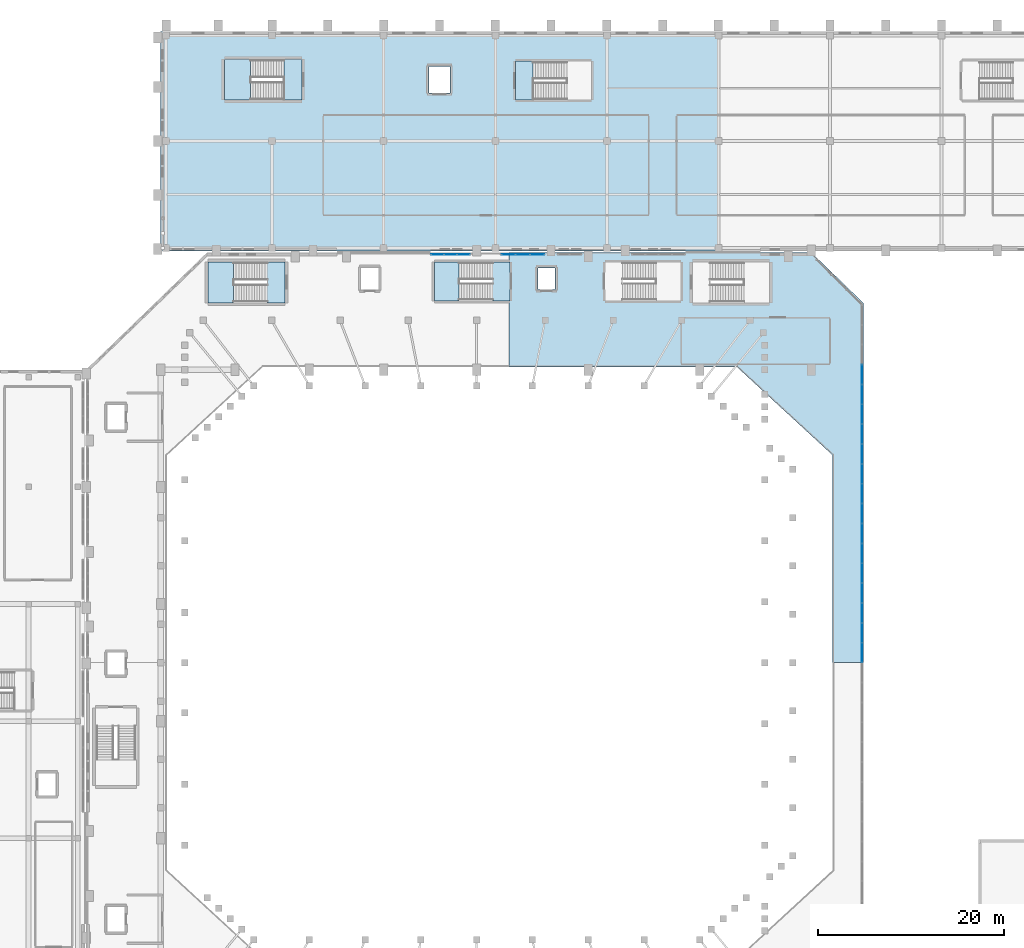
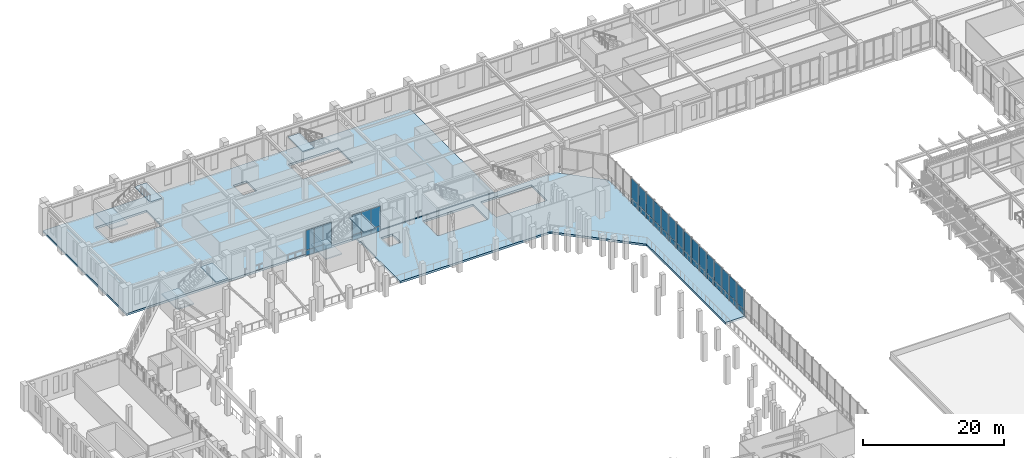
# One storey, part 72 of 126: 42 plates, 9 slabs, 7 elements without a shape of their own.
"""IFC4 building model written with IfcOpenShell, lengths in metres."""

from ifc_helpers import new_model, si_unit, derived_unit, direction, frame, origin, origin_2d, place, context, subcontext, project, spatial, polyline, rectangle, outline, extrude, material, layer, layer_set, type_object, element, aggregate, save


model = new_model("IFC4")

# Units and contexts
model_context = context("Model", 3, precision=1e-05, world=origin(), true_north=direction((0.0, 1.0)))
body_context = subcontext(model_context, "Body", "Model", "MODEL_VIEW")
ifc_project = project(units=[si_unit("LENGTHUNIT", "METRE"), si_unit("AREAUNIT", "SQUARE_METRE"), si_unit("VOLUMEUNIT", "CUBIC_METRE"), si_unit("PLANEANGLEUNIT", "RADIAN"), si_unit("MASSUNIT", "GRAM", prefix="KILO"), derived_unit("THERMALTRANSMITTANCEUNIT", [(si_unit("MASSUNIT", "GRAM", prefix="KILO"), 1), (si_unit("TIMEUNIT", "SECOND"), -3), (si_unit("THERMODYNAMICTEMPERATUREUNIT", "KELVIN"), -1)])], contexts=[model_context])

# Site, building, storey
site_placement = place(None, origin())
site = spatial("IfcSite", under=ifc_project, at=site_placement, CompositionType="ELEMENT")
building_placement = place(site_placement, origin())
building = spatial("IfcBuilding", under=site, at=building_placement, Name="Valcora Ridge Arena", CompositionType="ELEMENT")
storey_placement = place(building_placement, frame((0.0, 0.0, 11.39990234375)))
storey = spatial("IfcBuildingStorey", under=building, at=storey_placement, Name="L02", CompositionType="ELEMENT", Elevation=11.39990234375)

# Stair, slabs
ifc_material_1 = material(Name="Concrete C40/50", Category="concrete")
stair_type_1 = type_object("IfcStairType", Name="TY-STAIR-ES03-48", PredefinedType="HALF_TURN_STAIR", material=ifc_material_1)
stair_1_placement = place(storey_placement, origin())
stair_1 = element("IfcStair", 1, at=stair_1_placement, inside=storey, type_object=stair_type_1, Name="ES03-48 STR-ES-0011", PredefinedType="HALF_TURN_STAIR")
ifc_layer_1 = layer(ifc_material_1, 0.199951171875, Name="Concrete C40/50")
ifc_layer_set_1 = layer_set([ifc_layer_1], Name="Concrete C40/50")
slab_type_1 = type_object("IfcSlabType", Name="TY-LAND-ES03-48", PredefinedType="LANDING", material=ifc_layer_set_1)
slab_1_placement = place(storey_placement, frame((0.0, 0.0, 2.2001953125)))
slab_1 = element("IfcSlab", 2, at=slab_1_placement, type_object=slab_type_1, Name="ES03-48 landing 1", PredefinedType="LANDING", context=body_context, shape_type="SweptSolid", body=[
    extrude(outline(polyline([(53.44189453125, 103.001953125), (56.1201171875, 103.001953125), (56.1201171875, 107.197998046875), (53.44189453125, 107.197998046875), (53.44189453125, 103.001953125)])), origin(), (0.0, 0.0, 1.0), 0.199951171875),
])
slab_2_placement = place(storey_placement, frame((0.0, 0.0, 4.60009765625)))
slab_2 = element("IfcSlab", 3, at=slab_2_placement, type_object=slab_type_1, Name="ES03-48 landing 2", PredefinedType="LANDING", context=body_context, shape_type="SweptSolid", body=[
    extrude(outline(polyline([(59.719970703125, 103.001953125), (61.597900390625, 103.001953125), (61.597900390625, 107.197998046875), (59.719970703125, 107.197998046875), (59.719970703125, 103.001953125)])), origin(), (0.0, 0.0, 1.0), 0.199951171875),
])
aggregate(stair_1, [slab_1, slab_2])

# Stair, slab
stair_type_2 = type_object("IfcStairType", Name="TY-STAIR-ES09-48", PredefinedType="HALF_TURN_STAIR", material=ifc_material_1)
stair_2_placement = place(storey_placement, origin())
stair_2 = element("IfcStair", 4, at=stair_2_placement, inside=storey, type_object=stair_type_2, Name="ES09-48 STR-ES-0032", PredefinedType="HALF_TURN_STAIR")
ifc_layer_2 = layer(ifc_material_1, 0.199951171875, Name="Concrete C40/50")
ifc_layer_set_2 = layer_set([ifc_layer_2], Name="Concrete C40/50")
slab_type_2 = type_object("IfcSlabType", Name="TY-LAND-ES09-48", PredefinedType="LANDING", material=ifc_layer_set_2)
slab_3_placement = place(storey_placement, frame((0.0, 0.0, 4.60009765625)))
slab_3 = element("IfcSlab", 5, at=slab_3_placement, type_object=slab_type_2, Name="ES09-48 landing 2", PredefinedType="LANDING", context=body_context, shape_type="SweptSolid", body=[
    extrude(outline(polyline([(62.201904296875, 124.60205078125), (64.080078125, 124.60205078125), (64.080078125, 128.798095703125), (62.201904296875, 128.798095703125), (62.201904296875, 124.60205078125)])), origin(), (0.0, 0.0, 1.0), 0.199951171875),
])
aggregate(stair_2, [slab_3])

# Stair, slabs
stair_type_3 = type_object("IfcStairType", Name="TY-STAIR-ST03-48", PredefinedType="HALF_TURN_STAIR", material=ifc_material_1)
stair_3_placement = place(storey_placement, origin())
stair_3 = element("IfcStair", 6, at=stair_3_placement, inside=storey, type_object=stair_type_3, Name="ST03-48 STR-CR-0015", PredefinedType="HALF_TURN_STAIR")
ifc_layer_3 = layer(ifc_material_1, 0.199951171875, Name="Concrete C40/50")
ifc_layer_set_3 = layer_set([ifc_layer_3], Name="Concrete C40/50")
slab_type_3 = type_object("IfcSlabType", Name="TY-LAND-ST03-48", PredefinedType="LANDING", material=ifc_layer_set_3)
slab_4_placement = place(storey_placement, frame((0.0, 0.0, 2.2001953125)))
slab_4 = element("IfcSlab", 7, at=slab_4_placement, type_object=slab_type_3, Name="ST03-48 landing 1", PredefinedType="LANDING", context=body_context, shape_type="SweptSolid", body=[
    extrude(outline(polyline([(29.08203125, 102.802001953125), (31.8701171875, 102.802001953125), (31.8701171875, 107.197998046875), (29.08203125, 107.197998046875), (29.08203125, 102.802001953125)])), origin(), (0.0, 0.0, 1.0), 0.199951171875),
])
slab_5_placement = place(storey_placement, frame((0.0, 0.0, 4.60009765625)))
slab_5 = element("IfcSlab", 8, at=slab_5_placement, type_object=slab_type_3, Name="ST03-48 landing 2", PredefinedType="LANDING", context=body_context, shape_type="SweptSolid", body=[
    extrude(outline(polyline([(35.469970703125, 102.802001953125), (37.39794921875, 102.802001953125), (37.39794921875, 107.197998046875), (35.469970703125, 107.197998046875), (35.469970703125, 102.802001953125)])), origin(), (0.0, 0.0, 1.0), 0.199951171875),
])
aggregate(stair_3, [slab_4, slab_5])

stair_type_4 = type_object("IfcStairType", Name="TY-STAIR-ST09-48", PredefinedType="HALF_TURN_STAIR", material=ifc_material_1)
stair_4_placement = place(storey_placement, origin())
stair_4 = element("IfcStair", 9, at=stair_4_placement, inside=storey, type_object=stair_type_4, Name="ST09-48 STR-CR-0040", PredefinedType="HALF_TURN_STAIR")
ifc_layer_4 = layer(ifc_material_1, 0.199951171875, Name="Concrete C40/50")
ifc_layer_set_4 = layer_set([ifc_layer_4], Name="Concrete C40/50")
slab_type_4 = type_object("IfcSlabType", Name="TY-LAND-ST09-48", PredefinedType="LANDING", material=ifc_layer_set_4)
slab_6_placement = place(storey_placement, frame((0.0, 0.0, 2.2001953125)))
slab_6 = element("IfcSlab", 10, at=slab_6_placement, type_object=slab_type_4, Name="ST09-48 landing 1", PredefinedType="LANDING", context=body_context, shape_type="SweptSolid", body=[
    extrude(outline(polyline([(30.882080078125, 124.60205078125), (33.669921875, 124.60205078125), (33.669921875, 128.998046875), (30.882080078125, 128.998046875), (30.882080078125, 124.60205078125)])), origin(), (0.0, 0.0, 1.0), 0.199951171875),
])
slab_7_placement = place(storey_placement, frame((0.0, 0.0, 4.60009765625)))
slab_7 = element("IfcSlab", 11, at=slab_7_placement, type_object=slab_type_4, Name="ST09-48 landing 2", PredefinedType="LANDING", context=body_context, shape_type="SweptSolid", body=[
    extrude(outline(polyline([(37.27001953125, 124.60205078125), (39.197998046875, 124.60205078125), (39.197998046875, 128.998046875), (37.27001953125, 128.998046875), (37.27001953125, 124.60205078125)])), origin(), (0.0, 0.0, 1.0), 0.199951171875),
])
aggregate(stair_4, [slab_6, slab_7])

# Curtain wall, plates
ifc_material_2 = material(Name="Anodised dark bronze architectural aluminium 6063-T6", Category="aluminium")
ifc_layer_5 = layer(ifc_material_2, 0.179931640625, Name="Anodised dark bronze architectural aluminium 6063-T6")
ifc_layer_set_5 = layer_set([ifc_layer_5], Name="Anodised dark bronze architectural aluminium 6063-T6")
curtain_wall_type_1 = type_object("IfcCurtainWallType", Name="TY-CURTAINWALL-CW-V1-GOTH-043X44", PredefinedType="NOTDEFINED", material=ifc_layer_set_5)
curtain_wall_1_placement = place(storey_placement, origin())
curtain_wall_1 = element("IfcCurtainWall", 12, at=curtain_wall_1_placement, inside=storey, type_object=curtain_wall_type_1, Name="CW-V1-GOTH-043X44 CW-0124", PredefinedType="NOTDEFINED")
ifc_material_3 = material(Name="Low-iron solar-control double glazing SHGC 0.28", Category="glass")
ifc_layer_6 = layer(ifc_material_3, 0.031982421875, Name="Low-iron solar-control double glazing SHGC 0.28")
ifc_layer_set_6 = layer_set([ifc_layer_6], Name="Low-iron solar-control double glazing SHGC 0.28")
plate_type_1 = type_object("IfcPlateType", Name="TY-PLT-CWP-1330X0860", PredefinedType="CURTAIN_PANEL", material=ifc_layer_set_6)
plate_1_placement = place(storey_placement, frame((53.77490234375, 108.0, 0.06005859375), z_axis=(0.0, 0.0, 1.0), x_axis=(1.0, 0.0, 0.0)))
plate_1 = element("IfcPlate", 13, at=plate_1_placement, type_object=plate_type_1, Name="CW-0124/P00-00", PredefinedType="CURTAIN_PANEL", context=body_context, shape_type="SweptSolid", body=[
    extrude(rectangle(XDim=1.330078125, YDim=0.031982421875, at=origin_2d()), origin(), (0.0, 0.0, 1.0), 0.860107421875),
])
plate_2_placement = place(storey_placement, frame((56.5849609375, 108.0, 0.06005859375), z_axis=(0.0, 0.0, 1.0), x_axis=(1.0, 0.0, 0.0)))
plate_2 = element("IfcPlate", 14, at=plate_2_placement, type_object=plate_type_1, Name="CW-0124/P02-00", PredefinedType="CURTAIN_PANEL", context=body_context, shape_type="SweptSolid", body=[
    extrude(rectangle(XDim=1.330078125, YDim=0.031982421875, at=origin_2d()), origin(), (0.0, 0.0, 1.0), 0.860107421875),
])
ifc_layer_7 = layer(ifc_material_3, 0.031982421875, Name="Low-iron solar-control double glazing SHGC 0.28")
ifc_layer_set_7 = layer_set([ifc_layer_7], Name="Low-iron solar-control double glazing SHGC 0.28")
plate_type_2 = type_object("IfcPlateType", Name="TY-PLT-CWP-1330X3410", PredefinedType="CURTAIN_PANEL", material=ifc_layer_set_7)
plate_3_placement = place(storey_placement, frame((53.77490234375, 108.0, 0.97998046875), z_axis=(0.0, 0.0, 1.0), x_axis=(1.0, 0.0, 0.0)))
plate_3 = element("IfcPlate", 15, at=plate_3_placement, type_object=plate_type_2, Name="CW-0124/P00-01", PredefinedType="CURTAIN_PANEL", context=body_context, shape_type="SweptSolid", body=[
    extrude(rectangle(XDim=1.330078125, YDim=0.031982421875, at=origin_2d()), origin(), (0.0, 0.0, 1.0), 3.409912109375),
])
plate_4_placement = place(storey_placement, frame((56.5849609375, 108.0, 0.97998046875), z_axis=(0.0, 0.0, 1.0), x_axis=(1.0, 0.0, 0.0)))
plate_4 = element("IfcPlate", 16, at=plate_4_placement, type_object=plate_type_2, Name="CW-0124/P02-01", PredefinedType="CURTAIN_PANEL", context=body_context, shape_type="SweptSolid", body=[
    extrude(rectangle(XDim=1.330078125, YDim=0.031982421875, at=origin_2d()), origin(), (0.0, 0.0, 1.0), 3.409912109375),
])
ifc_layer_8 = layer(ifc_material_3, 0.031982421875, Name="Low-iron solar-control double glazing SHGC 0.28")
ifc_layer_set_8 = layer_set([ifc_layer_8], Name="Low-iron solar-control double glazing SHGC 0.28")
plate_type_3 = type_object("IfcPlateType", Name="TY-PLT-CWP-1360X0860", PredefinedType="CURTAIN_PANEL", material=ifc_layer_set_8)
plate_5_placement = place(storey_placement, frame((55.179931640625, 108.0, 0.06005859375), z_axis=(0.0, 0.0, 1.0), x_axis=(1.0, 0.0, 0.0)))
plate_5 = element("IfcPlate", 17, at=plate_5_placement, type_object=plate_type_3, Name="CW-0124/P01-00", PredefinedType="CURTAIN_PANEL", context=body_context, shape_type="SweptSolid", body=[
    extrude(rectangle(XDim=1.360107421875, YDim=0.031982421875, at=origin_2d()), origin(), (0.0, 0.0, 1.0), 0.860107421875),
])
ifc_layer_9 = layer(ifc_material_3, 0.031982421875, Name="Low-iron solar-control double glazing SHGC 0.28")
ifc_layer_set_9 = layer_set([ifc_layer_9], Name="Low-iron solar-control double glazing SHGC 0.28")
plate_type_4 = type_object("IfcPlateType", Name="TY-PLT-CWP-1360X3410", PredefinedType="CURTAIN_PANEL", material=ifc_layer_set_9)
plate_6_placement = place(storey_placement, frame((55.179931640625, 108.0, 0.97998046875), z_axis=(0.0, 0.0, 1.0), x_axis=(1.0, 0.0, 0.0)))
plate_6 = element("IfcPlate", 18, at=plate_6_placement, type_object=plate_type_4, Name="CW-0124/P01-01", PredefinedType="CURTAIN_PANEL", context=body_context, shape_type="SweptSolid", body=[
    extrude(rectangle(XDim=1.360107421875, YDim=0.031982421875, at=origin_2d()), origin(), (0.0, 0.0, 1.0), 3.409912109375),
])
aggregate(curtain_wall_1, [plate_1, plate_3, plate_5, plate_6, plate_2, plate_4])

ifc_layer_10 = layer(ifc_material_2, 0.179931640625, Name="Anodised dark bronze architectural aluminium 6063-T6")
ifc_layer_set_10 = layer_set([ifc_layer_10], Name="Anodised dark bronze architectural aluminium 6063-T6")
curtain_wall_type_2 = type_object("IfcCurtainWallType", Name="TY-CURTAINWALL-CW-V1-GOTH-047X44", PredefinedType="NOTDEFINED", material=ifc_layer_set_10)
curtain_wall_2_placement = place(storey_placement, origin())
curtain_wall_2 = element("IfcCurtainWall", 19, at=curtain_wall_2_placement, inside=storey, type_object=curtain_wall_type_2, Name="CW-V1-GOTH-047X44 CW-0125", PredefinedType="NOTDEFINED")
ifc_layer_11 = layer(ifc_material_3, 0.031982421875, Name="Low-iron solar-control double glazing SHGC 0.28")
ifc_layer_set_11 = layer_set([ifc_layer_11], Name="Low-iron solar-control double glazing SHGC 0.28")
plate_type_5 = type_object("IfcPlateType", Name="TY-PLT-CWP-1475X0860", PredefinedType="CURTAIN_PANEL", material=ifc_layer_set_11)
plate_7_placement = place(storey_placement, frame((61.41259765625, 108.0, 0.06005859375), z_axis=(0.0, 0.0, 1.0), x_axis=(1.0, 0.0, 0.0)))
plate_7 = element("IfcPlate", 20, at=plate_7_placement, type_object=plate_type_5, Name="CW-0125/P00-00", PredefinedType="CURTAIN_PANEL", context=body_context, shape_type="SweptSolid", body=[
    extrude(rectangle(XDim=1.47509765625, YDim=0.031982421875, at=origin_2d()), origin(), (0.0, 0.0, 1.0), 0.860107421875),
])
plate_8_placement = place(storey_placement, frame((64.512451171875, 108.0, 0.06005859375), z_axis=(0.0, 0.0, 1.0), x_axis=(1.0, 0.0, 0.0)))
plate_8 = element("IfcPlate", 21, at=plate_8_placement, type_object=plate_type_5, Name="CW-0125/P02-00", PredefinedType="CURTAIN_PANEL", context=body_context, shape_type="SweptSolid", body=[
    extrude(rectangle(XDim=1.47509765625, YDim=0.031982421875, at=origin_2d()), origin(), (0.0, 0.0, 1.0), 0.860107421875),
])
ifc_layer_12 = layer(ifc_material_3, 0.031982421875, Name="Low-iron solar-control double glazing SHGC 0.28")
ifc_layer_set_12 = layer_set([ifc_layer_12], Name="Low-iron solar-control double glazing SHGC 0.28")
plate_type_6 = type_object("IfcPlateType", Name="TY-PLT-CWP-1475X3410", PredefinedType="CURTAIN_PANEL", material=ifc_layer_set_12)
plate_9_placement = place(storey_placement, frame((61.41259765625, 108.0, 0.97998046875), z_axis=(0.0, 0.0, 1.0), x_axis=(1.0, 0.0, 0.0)))
plate_9 = element("IfcPlate", 22, at=plate_9_placement, type_object=plate_type_6, Name="CW-0125/P00-01", PredefinedType="CURTAIN_PANEL", context=body_context, shape_type="SweptSolid", body=[
    extrude(rectangle(XDim=1.47509765625, YDim=0.031982421875, at=origin_2d()), origin(), (0.0, 0.0, 1.0), 3.409912109375),
])
plate_10_placement = place(storey_placement, frame((64.512451171875, 108.0, 0.97998046875), z_axis=(0.0, 0.0, 1.0), x_axis=(1.0, 0.0, 0.0)))
plate_10 = element("IfcPlate", 23, at=plate_10_placement, type_object=plate_type_6, Name="CW-0125/P02-01", PredefinedType="CURTAIN_PANEL", context=body_context, shape_type="SweptSolid", body=[
    extrude(rectangle(XDim=1.47509765625, YDim=0.031982421875, at=origin_2d()), origin(), (0.0, 0.0, 1.0), 3.409912109375),
])
ifc_layer_13 = layer(ifc_material_3, 0.031982421875, Name="Low-iron solar-control double glazing SHGC 0.28")
ifc_layer_set_13 = layer_set([ifc_layer_13], Name="Low-iron solar-control double glazing SHGC 0.28")
plate_type_7 = type_object("IfcPlateType", Name="TY-PLT-CWP-1505X0860", PredefinedType="CURTAIN_PANEL", material=ifc_layer_set_13)
plate_11_placement = place(storey_placement, frame((62.96240234375, 108.0, 0.06005859375), z_axis=(0.0, 0.0, 1.0), x_axis=(1.0, 0.0, 0.0)))
plate_11 = element("IfcPlate", 24, at=plate_11_placement, type_object=plate_type_7, Name="CW-0125/P01-00", PredefinedType="CURTAIN_PANEL", context=body_context, shape_type="SweptSolid", body=[
    extrude(rectangle(XDim=1.5048828125, YDim=0.031982421875, at=origin_2d()), origin(), (0.0, 0.0, 1.0), 0.860107421875),
])
ifc_layer_14 = layer(ifc_material_3, 0.031982421875, Name="Low-iron solar-control double glazing SHGC 0.28")
ifc_layer_set_14 = layer_set([ifc_layer_14], Name="Low-iron solar-control double glazing SHGC 0.28")
plate_type_8 = type_object("IfcPlateType", Name="TY-PLT-CWP-1505X3410", PredefinedType="CURTAIN_PANEL", material=ifc_layer_set_14)
plate_12_placement = place(storey_placement, frame((62.96240234375, 108.0, 0.97998046875), z_axis=(0.0, 0.0, 1.0), x_axis=(1.0, 0.0, 0.0)))
plate_12 = element("IfcPlate", 25, at=plate_12_placement, type_object=plate_type_8, Name="CW-0125/P01-01", PredefinedType="CURTAIN_PANEL", context=body_context, shape_type="SweptSolid", body=[
    extrude(rectangle(XDim=1.5048828125, YDim=0.031982421875, at=origin_2d()), origin(), (0.0, 0.0, 1.0), 3.409912109375),
])
aggregate(curtain_wall_2, [plate_7, plate_9, plate_11, plate_12, plate_8, plate_10])

ifc_layer_15 = layer(ifc_material_2, 0.14990234375, Name="Anodised dark bronze architectural aluminium 6063-T6")
ifc_layer_set_15 = layer_set([ifc_layer_15], Name="Anodised dark bronze architectural aluminium 6063-T6")
curtain_wall_type_3 = type_object("IfcCurtainWallType", Name="TY-CURTAINWALL-CW-V1-EAST-769X44", PredefinedType="NOTDEFINED", material=ifc_layer_set_15)
curtain_wall_3_placement = place(storey_placement, origin())
curtain_wall_3 = element("IfcCurtainWall", 26, at=curtain_wall_3_placement, inside=storey, type_object=curtain_wall_type_3, Name="CW-V1-EAST-769X44 CW-0129", PredefinedType="NOTDEFINED")
ifc_layer_16 = layer(ifc_material_3, 0.028076171875, Name="Low-iron solar-control double glazing SHGC 0.28")
ifc_layer_set_16 = layer_set([ifc_layer_16], Name="Low-iron solar-control double glazing SHGC 0.28")
plate_type_9 = type_object("IfcPlateType", Name="TY-PLT-CWP-2087X0875", PredefinedType="CURTAIN_PANEL", material=ifc_layer_set_16)
plate_13_placement = place(storey_placement, frame((99.449951171875, 67.30615234375, 0.050048828125), z_axis=(0.0, 0.0, 1.0), x_axis=(0.0, 1.0, 0.0)))
plate_13 = element("IfcPlate", 27, at=plate_13_placement, type_object=plate_type_9, Name="CW-0129/P19-00", PredefinedType="CURTAIN_PANEL", context=body_context, shape_type="SweptSolid", body=[
    extrude(rectangle(XDim=2.0869140625, YDim=0.028076171875, at=origin_2d()), origin(), (0.0, 0.0, 1.0), 0.875),
])
plate_14_placement = place(storey_placement, frame((99.449951171875, 69.443115234375, 0.050048828125), z_axis=(0.0, 0.0, 1.0), x_axis=(0.0, 1.0, 0.0)))
plate_14 = element("IfcPlate", 28, at=plate_14_placement, type_object=plate_type_9, Name="CW-0129/P20-00", PredefinedType="CURTAIN_PANEL", context=body_context, shape_type="SweptSolid", body=[
    extrude(rectangle(XDim=2.0869140625, YDim=0.028076171875, at=origin_2d()), origin(), (0.0, 0.0, 1.0), 0.875),
])
plate_15_placement = place(storey_placement, frame((99.449951171875, 73.71826171875, 0.050048828125), z_axis=(0.0, 0.0, 1.0), x_axis=(0.0, 1.0, 0.0)))
plate_15 = element("IfcPlate", 29, at=plate_15_placement, type_object=plate_type_9, Name="CW-0129/P22-00", PredefinedType="CURTAIN_PANEL", context=body_context, shape_type="SweptSolid", body=[
    extrude(rectangle(XDim=2.0869140625, YDim=0.028076171875, at=origin_2d()), origin(), (0.0, 0.0, 1.0), 0.875),
])
plate_16_placement = place(storey_placement, frame((99.449951171875, 75.855224609375, 0.050048828125), z_axis=(0.0, 0.0, 1.0), x_axis=(0.0, 1.0, 0.0)))
plate_16 = element("IfcPlate", 30, at=plate_16_placement, type_object=plate_type_9, Name="CW-0129/P23-00", PredefinedType="CURTAIN_PANEL", context=body_context, shape_type="SweptSolid", body=[
    extrude(rectangle(XDim=2.0869140625, YDim=0.028076171875, at=origin_2d()), origin(), (0.0, 0.0, 1.0), 0.875),
])
plate_17_placement = place(storey_placement, frame((99.449951171875, 80.130126953125, 0.050048828125), z_axis=(0.0, 0.0, 1.0), x_axis=(0.0, 1.0, 0.0)))
plate_17 = element("IfcPlate", 31, at=plate_17_placement, type_object=plate_type_9, Name="CW-0129/P25-00", PredefinedType="CURTAIN_PANEL", context=body_context, shape_type="SweptSolid", body=[
    extrude(rectangle(XDim=2.0869140625, YDim=0.028076171875, at=origin_2d()), origin(), (0.0, 0.0, 1.0), 0.875),
])
plate_18_placement = place(storey_placement, frame((99.449951171875, 82.26708984375, 0.050048828125), z_axis=(0.0, 0.0, 1.0), x_axis=(0.0, 1.0, 0.0)))
plate_18 = element("IfcPlate", 32, at=plate_18_placement, type_object=plate_type_9, Name="CW-0129/P26-00", PredefinedType="CURTAIN_PANEL", context=body_context, shape_type="SweptSolid", body=[
    extrude(rectangle(XDim=2.0869140625, YDim=0.028076171875, at=origin_2d()), origin(), (0.0, 0.0, 1.0), 0.875),
])
plate_19_placement = place(storey_placement, frame((99.449951171875, 86.542236328125, 0.050048828125), z_axis=(0.0, 0.0, 1.0), x_axis=(0.0, 1.0, 0.0)))
plate_19 = element("IfcPlate", 33, at=plate_19_placement, type_object=plate_type_9, Name="CW-0129/P28-00", PredefinedType="CURTAIN_PANEL", context=body_context, shape_type="SweptSolid", body=[
    extrude(rectangle(XDim=2.0869140625, YDim=0.028076171875, at=origin_2d()), origin(), (0.0, 0.0, 1.0), 0.875),
])
plate_20_placement = place(storey_placement, frame((99.449951171875, 88.67919921875, 0.050048828125), z_axis=(0.0, 0.0, 1.0), x_axis=(0.0, 1.0, 0.0)))
plate_20 = element("IfcPlate", 34, at=plate_20_placement, type_object=plate_type_9, Name="CW-0129/P29-00", PredefinedType="CURTAIN_PANEL", context=body_context, shape_type="SweptSolid", body=[
    extrude(rectangle(XDim=2.0869140625, YDim=0.028076171875, at=origin_2d()), origin(), (0.0, 0.0, 1.0), 0.875),
])
plate_21_placement = place(storey_placement, frame((99.449951171875, 92.9541015625, 0.050048828125), z_axis=(0.0, 0.0, 1.0), x_axis=(0.0, 1.0, 0.0)))
plate_21 = element("IfcPlate", 35, at=plate_21_placement, type_object=plate_type_9, Name="CW-0129/P31-00", PredefinedType="CURTAIN_PANEL", context=body_context, shape_type="SweptSolid", body=[
    extrude(rectangle(XDim=2.0869140625, YDim=0.028076171875, at=origin_2d()), origin(), (0.0, 0.0, 1.0), 0.875),
])
ifc_layer_17 = layer(ifc_material_3, 0.028076171875, Name="Low-iron solar-control double glazing SHGC 0.28")
ifc_layer_set_17 = layer_set([ifc_layer_17], Name="Low-iron solar-control double glazing SHGC 0.28")
plate_type_10 = type_object("IfcPlateType", Name="TY-PLT-CWP-2087X3425", PredefinedType="CURTAIN_PANEL", material=ifc_layer_set_17)
plate_22_placement = place(storey_placement, frame((99.449951171875, 67.30615234375, 0.97509765625), z_axis=(0.0, 0.0, 1.0), x_axis=(0.0, 1.0, 0.0)))
plate_22 = element("IfcPlate", 36, at=plate_22_placement, type_object=plate_type_10, Name="CW-0129/P19-01", PredefinedType="CURTAIN_PANEL", context=body_context, shape_type="SweptSolid", body=[
    extrude(rectangle(XDim=2.0869140625, YDim=0.028076171875, at=origin_2d()), origin(), (0.0, 0.0, 1.0), 3.425048828125),
])
plate_23_placement = place(storey_placement, frame((99.449951171875, 69.443115234375, 0.97509765625), z_axis=(0.0, 0.0, 1.0), x_axis=(0.0, 1.0, 0.0)))
plate_23 = element("IfcPlate", 37, at=plate_23_placement, type_object=plate_type_10, Name="CW-0129/P20-01", PredefinedType="CURTAIN_PANEL", context=body_context, shape_type="SweptSolid", body=[
    extrude(rectangle(XDim=2.0869140625, YDim=0.028076171875, at=origin_2d()), origin(), (0.0, 0.0, 1.0), 3.425048828125),
])
plate_24_placement = place(storey_placement, frame((99.449951171875, 73.71826171875, 0.97509765625), z_axis=(0.0, 0.0, 1.0), x_axis=(0.0, 1.0, 0.0)))
plate_24 = element("IfcPlate", 38, at=plate_24_placement, type_object=plate_type_10, Name="CW-0129/P22-01", PredefinedType="CURTAIN_PANEL", context=body_context, shape_type="SweptSolid", body=[
    extrude(rectangle(XDim=2.0869140625, YDim=0.028076171875, at=origin_2d()), origin(), (0.0, 0.0, 1.0), 3.425048828125),
])
plate_25_placement = place(storey_placement, frame((99.449951171875, 75.855224609375, 0.97509765625), z_axis=(0.0, 0.0, 1.0), x_axis=(0.0, 1.0, 0.0)))
plate_25 = element("IfcPlate", 39, at=plate_25_placement, type_object=plate_type_10, Name="CW-0129/P23-01", PredefinedType="CURTAIN_PANEL", context=body_context, shape_type="SweptSolid", body=[
    extrude(rectangle(XDim=2.0869140625, YDim=0.028076171875, at=origin_2d()), origin(), (0.0, 0.0, 1.0), 3.425048828125),
])
plate_26_placement = place(storey_placement, frame((99.449951171875, 80.130126953125, 0.97509765625), z_axis=(0.0, 0.0, 1.0), x_axis=(0.0, 1.0, 0.0)))
plate_26 = element("IfcPlate", 40, at=plate_26_placement, type_object=plate_type_10, Name="CW-0129/P25-01", PredefinedType="CURTAIN_PANEL", context=body_context, shape_type="SweptSolid", body=[
    extrude(rectangle(XDim=2.0869140625, YDim=0.028076171875, at=origin_2d()), origin(), (0.0, 0.0, 1.0), 3.425048828125),
])
plate_27_placement = place(storey_placement, frame((99.449951171875, 82.26708984375, 0.97509765625), z_axis=(0.0, 0.0, 1.0), x_axis=(0.0, 1.0, 0.0)))
plate_27 = element("IfcPlate", 41, at=plate_27_placement, type_object=plate_type_10, Name="CW-0129/P26-01", PredefinedType="CURTAIN_PANEL", context=body_context, shape_type="SweptSolid", body=[
    extrude(rectangle(XDim=2.0869140625, YDim=0.028076171875, at=origin_2d()), origin(), (0.0, 0.0, 1.0), 3.425048828125),
])
plate_28_placement = place(storey_placement, frame((99.449951171875, 86.542236328125, 0.97509765625), z_axis=(0.0, 0.0, 1.0), x_axis=(0.0, 1.0, 0.0)))
plate_28 = element("IfcPlate", 42, at=plate_28_placement, type_object=plate_type_10, Name="CW-0129/P28-01", PredefinedType="CURTAIN_PANEL", context=body_context, shape_type="SweptSolid", body=[
    extrude(rectangle(XDim=2.0869140625, YDim=0.028076171875, at=origin_2d()), origin(), (0.0, 0.0, 1.0), 3.425048828125),
])
plate_29_placement = place(storey_placement, frame((99.449951171875, 88.67919921875, 0.97509765625), z_axis=(0.0, 0.0, 1.0), x_axis=(0.0, 1.0, 0.0)))
plate_29 = element("IfcPlate", 43, at=plate_29_placement, type_object=plate_type_10, Name="CW-0129/P29-01", PredefinedType="CURTAIN_PANEL", context=body_context, shape_type="SweptSolid", body=[
    extrude(rectangle(XDim=2.0869140625, YDim=0.028076171875, at=origin_2d()), origin(), (0.0, 0.0, 1.0), 3.425048828125),
])
plate_30_placement = place(storey_placement, frame((99.449951171875, 92.9541015625, 0.97509765625), z_axis=(0.0, 0.0, 1.0), x_axis=(0.0, 1.0, 0.0)))
plate_30 = element("IfcPlate", 44, at=plate_30_placement, type_object=plate_type_10, Name="CW-0129/P31-01", PredefinedType="CURTAIN_PANEL", context=body_context, shape_type="SweptSolid", body=[
    extrude(rectangle(XDim=2.0869140625, YDim=0.028076171875, at=origin_2d()), origin(), (0.0, 0.0, 1.0), 3.425048828125),
])
ifc_layer_18 = layer(ifc_material_3, 0.028076171875, Name="Low-iron solar-control double glazing SHGC 0.28")
ifc_layer_set_18 = layer_set([ifc_layer_18], Name="Low-iron solar-control double glazing SHGC 0.28")
plate_type_11 = type_object("IfcPlateType", Name="TY-PLT-CWP-2088X0875", PredefinedType="CURTAIN_PANEL", material=ifc_layer_set_18)
plate_31_placement = place(storey_placement, frame((99.449951171875, 65.168701171875, 0.050048828125), z_axis=(0.0, 0.0, 1.0), x_axis=(0.0, 1.0, 0.0)))
plate_31 = element("IfcPlate", 45, at=plate_31_placement, type_object=plate_type_11, Name="CW-0129/P18-00", PredefinedType="CURTAIN_PANEL", context=body_context, shape_type="SweptSolid", body=[
    extrude(rectangle(XDim=2.087890625, YDim=0.028076171875, at=origin_2d()), origin(), (0.0, 0.0, 1.0), 0.875),
])
plate_32_placement = place(storey_placement, frame((99.449951171875, 71.580810546875, 0.050048828125), z_axis=(0.0, 0.0, 1.0), x_axis=(0.0, 1.0, 0.0)))
plate_32 = element("IfcPlate", 46, at=plate_32_placement, type_object=plate_type_11, Name="CW-0129/P21-00", PredefinedType="CURTAIN_PANEL", context=body_context, shape_type="SweptSolid", body=[
    extrude(rectangle(XDim=2.087890625, YDim=0.028076171875, at=origin_2d()), origin(), (0.0, 0.0, 1.0), 0.875),
])
plate_33_placement = place(storey_placement, frame((99.449951171875, 77.99267578125, 0.050048828125), z_axis=(0.0, 0.0, 1.0), x_axis=(0.0, 1.0, 0.0)))
plate_33 = element("IfcPlate", 47, at=plate_33_placement, type_object=plate_type_11, Name="CW-0129/P24-00", PredefinedType="CURTAIN_PANEL", context=body_context, shape_type="SweptSolid", body=[
    extrude(rectangle(XDim=2.087890625, YDim=0.028076171875, at=origin_2d()), origin(), (0.0, 0.0, 1.0), 0.875),
])
plate_34_placement = place(storey_placement, frame((99.449951171875, 84.40478515625, 0.050048828125), z_axis=(0.0, 0.0, 1.0), x_axis=(0.0, 1.0, 0.0)))
plate_34 = element("IfcPlate", 48, at=plate_34_placement, type_object=plate_type_11, Name="CW-0129/P27-00", PredefinedType="CURTAIN_PANEL", context=body_context, shape_type="SweptSolid", body=[
    extrude(rectangle(XDim=2.087890625, YDim=0.028076171875, at=origin_2d()), origin(), (0.0, 0.0, 1.0), 0.875),
])
plate_35_placement = place(storey_placement, frame((99.449951171875, 90.816650390625, 0.050048828125), z_axis=(0.0, 0.0, 1.0), x_axis=(0.0, 1.0, 0.0)))
plate_35 = element("IfcPlate", 49, at=plate_35_placement, type_object=plate_type_11, Name="CW-0129/P30-00", PredefinedType="CURTAIN_PANEL", context=body_context, shape_type="SweptSolid", body=[
    extrude(rectangle(XDim=2.087890625, YDim=0.028076171875, at=origin_2d()), origin(), (0.0, 0.0, 1.0), 0.875),
])
plate_36_placement = place(storey_placement, frame((99.449951171875, 95.091796875, 0.050048828125), z_axis=(0.0, 0.0, 1.0), x_axis=(0.0, 1.0, 0.0)))
plate_36 = element("IfcPlate", 50, at=plate_36_placement, type_object=plate_type_11, Name="CW-0129/P32-00", PredefinedType="CURTAIN_PANEL", context=body_context, shape_type="SweptSolid", body=[
    extrude(rectangle(XDim=2.087890625, YDim=0.028076171875, at=origin_2d()), origin(), (0.0, 0.0, 1.0), 0.875),
])
ifc_layer_19 = layer(ifc_material_3, 0.028076171875, Name="Low-iron solar-control double glazing SHGC 0.28")
ifc_layer_set_19 = layer_set([ifc_layer_19], Name="Low-iron solar-control double glazing SHGC 0.28")
plate_type_12 = type_object("IfcPlateType", Name="TY-PLT-CWP-2088X3425", PredefinedType="CURTAIN_PANEL", material=ifc_layer_set_19)
plate_37_placement = place(storey_placement, frame((99.449951171875, 65.168701171875, 0.97509765625), z_axis=(0.0, 0.0, 1.0), x_axis=(0.0, 1.0, 0.0)))
plate_37 = element("IfcPlate", 51, at=plate_37_placement, type_object=plate_type_12, Name="CW-0129/P18-01", PredefinedType="CURTAIN_PANEL", context=body_context, shape_type="SweptSolid", body=[
    extrude(rectangle(XDim=2.087890625, YDim=0.028076171875, at=origin_2d()), origin(), (0.0, 0.0, 1.0), 3.425048828125),
])
plate_38_placement = place(storey_placement, frame((99.449951171875, 71.580810546875, 0.97509765625), z_axis=(0.0, 0.0, 1.0), x_axis=(0.0, 1.0, 0.0)))
plate_38 = element("IfcPlate", 52, at=plate_38_placement, type_object=plate_type_12, Name="CW-0129/P21-01", PredefinedType="CURTAIN_PANEL", context=body_context, shape_type="SweptSolid", body=[
    extrude(rectangle(XDim=2.087890625, YDim=0.028076171875, at=origin_2d()), origin(), (0.0, 0.0, 1.0), 3.425048828125),
])
plate_39_placement = place(storey_placement, frame((99.449951171875, 77.99267578125, 0.97509765625), z_axis=(0.0, 0.0, 1.0), x_axis=(0.0, 1.0, 0.0)))
plate_39 = element("IfcPlate", 53, at=plate_39_placement, type_object=plate_type_12, Name="CW-0129/P24-01", PredefinedType="CURTAIN_PANEL", context=body_context, shape_type="SweptSolid", body=[
    extrude(rectangle(XDim=2.087890625, YDim=0.028076171875, at=origin_2d()), origin(), (0.0, 0.0, 1.0), 3.425048828125),
])
plate_40_placement = place(storey_placement, frame((99.449951171875, 84.40478515625, 0.97509765625), z_axis=(0.0, 0.0, 1.0), x_axis=(0.0, 1.0, 0.0)))
plate_40 = element("IfcPlate", 54, at=plate_40_placement, type_object=plate_type_12, Name="CW-0129/P27-01", PredefinedType="CURTAIN_PANEL", context=body_context, shape_type="SweptSolid", body=[
    extrude(rectangle(XDim=2.087890625, YDim=0.028076171875, at=origin_2d()), origin(), (0.0, 0.0, 1.0), 3.425048828125),
])
plate_41_placement = place(storey_placement, frame((99.449951171875, 90.816650390625, 0.97509765625), z_axis=(0.0, 0.0, 1.0), x_axis=(0.0, 1.0, 0.0)))
plate_41 = element("IfcPlate", 55, at=plate_41_placement, type_object=plate_type_12, Name="CW-0129/P30-01", PredefinedType="CURTAIN_PANEL", context=body_context, shape_type="SweptSolid", body=[
    extrude(rectangle(XDim=2.087890625, YDim=0.028076171875, at=origin_2d()), origin(), (0.0, 0.0, 1.0), 3.425048828125),
])
plate_42_placement = place(storey_placement, frame((99.449951171875, 95.091796875, 0.97509765625), z_axis=(0.0, 0.0, 1.0), x_axis=(0.0, 1.0, 0.0)))
plate_42 = element("IfcPlate", 56, at=plate_42_placement, type_object=plate_type_12, Name="CW-0129/P32-01", PredefinedType="CURTAIN_PANEL", context=body_context, shape_type="SweptSolid", body=[
    extrude(rectangle(XDim=2.087890625, YDim=0.028076171875, at=origin_2d()), origin(), (0.0, 0.0, 1.0), 3.425048828125),
])
aggregate(curtain_wall_3, [plate_31, plate_37, plate_13, plate_22, plate_14, plate_23, plate_32, plate_38, plate_15, plate_24, plate_16, plate_25, plate_33, plate_39, plate_17, plate_26, plate_18, plate_27, plate_34, plate_40, plate_19, plate_28, plate_20, plate_29, plate_35, plate_41, plate_21, plate_30, plate_36, plate_42])

# Slabs
ifc_layer_20 = layer(ifc_material_1, 0.360107421875, Name="Concrete C40/50")
ifc_layer_set_20 = layer_set([ifc_layer_20], Name="Concrete C40/50")
slab_type_5 = type_object("IfcSlabType", Name="TY-SLAB-SL-CLUB-360-NE", PredefinedType="FLOOR", material=ifc_layer_set_20)
slab_8_placement = place(storey_placement, frame((0.0, 0.0, -0.35986328125)))
element("IfcSlab", 57, at=slab_8_placement, inside=storey, type_object=slab_type_5, Name="SL-CLUB-360-NE SLB-0040", PredefinedType="FLOOR", context=body_context, shape_type="SweptSolid", body=[
    extrude(outline(polyline([(94.0, 108.199951171875), (61.5, 108.199951171875), (61.5, 107.199951171875), (61.60009765625, 107.199951171875), (61.60009765625, 103.0), (61.5, 103.0), (61.5, 95.89990234375), (86.0, 95.89990234375), (96.300048828125, 86.39990234375), (96.300048828125, 64.10009765625), (99.60009765625, 64.10009765625), (99.60009765625, 102.772216796875), (94.0, 108.199951171875)]), holes=[polyline([(81.199951171875, 107.199951171875), (81.199951171875, 102.800048828125), (89.52001953125, 102.800048828125), (89.52001953125, 107.199951171875), (81.199951171875, 107.199951171875)]), polyline([(71.800048828125, 107.199951171875), (71.800048828125, 103.0), (79.9599609375, 103.0), (79.9599609375, 107.199951171875), (71.800048828125, 107.199951171875)]), polyline([(66.419921875, 106.570068359375), (64.580078125, 106.570068359375), (64.580078125, 104.22998046875), (66.419921875, 104.22998046875), (66.419921875, 106.570068359375)])]), origin(), (0.0, 0.0, 1.0), 0.35986328125),
])
ifc_layer_21 = layer(ifc_material_1, 0.360107421875, Name="Concrete C40/50")
ifc_layer_set_21 = layer_set([ifc_layer_21], Name="Concrete C40/50")
slab_type_6 = type_object("IfcSlabType", Name="TY-SLAB-SL-V5-360B-W", PredefinedType="FLOOR", material=ifc_layer_set_21)
slab_9_placement = place(storey_placement, frame((0.0, 0.0, -0.35986328125)))
element("IfcSlab", 58, at=slab_9_placement, inside=storey, type_object=slab_type_6, Name="SL-V5-360B-W SLB-0073", PredefinedType="FLOOR", context=body_context, shape_type="SweptSolid", body=[
    extrude(outline(polyline([(24.0, 132.0), (24.0, 108.35009765625), (84.0, 108.35009765625), (84.0, 132.0), (24.0, 132.0)]), holes=[polyline([(39.199951171875, 129.0), (30.8798828125, 129.0), (30.8798828125, 124.60009765625), (39.199951171875, 124.60009765625), (39.199951171875, 129.0)]), polyline([(62.199951171875, 128.800048828125), (62.199951171875, 124.60009765625), (70.360107421875, 124.60009765625), (70.360107421875, 128.800048828125), (62.199951171875, 128.800048828125)]), polyline([(55.1201171875, 128.219970703125), (52.8798828125, 128.219970703125), (52.8798828125, 125.3798828125), (55.1201171875, 125.3798828125), (55.1201171875, 128.219970703125)])]), origin(), (0.0, 0.0, 1.0), 0.35986328125),
])

save(model, "model.ifc")
